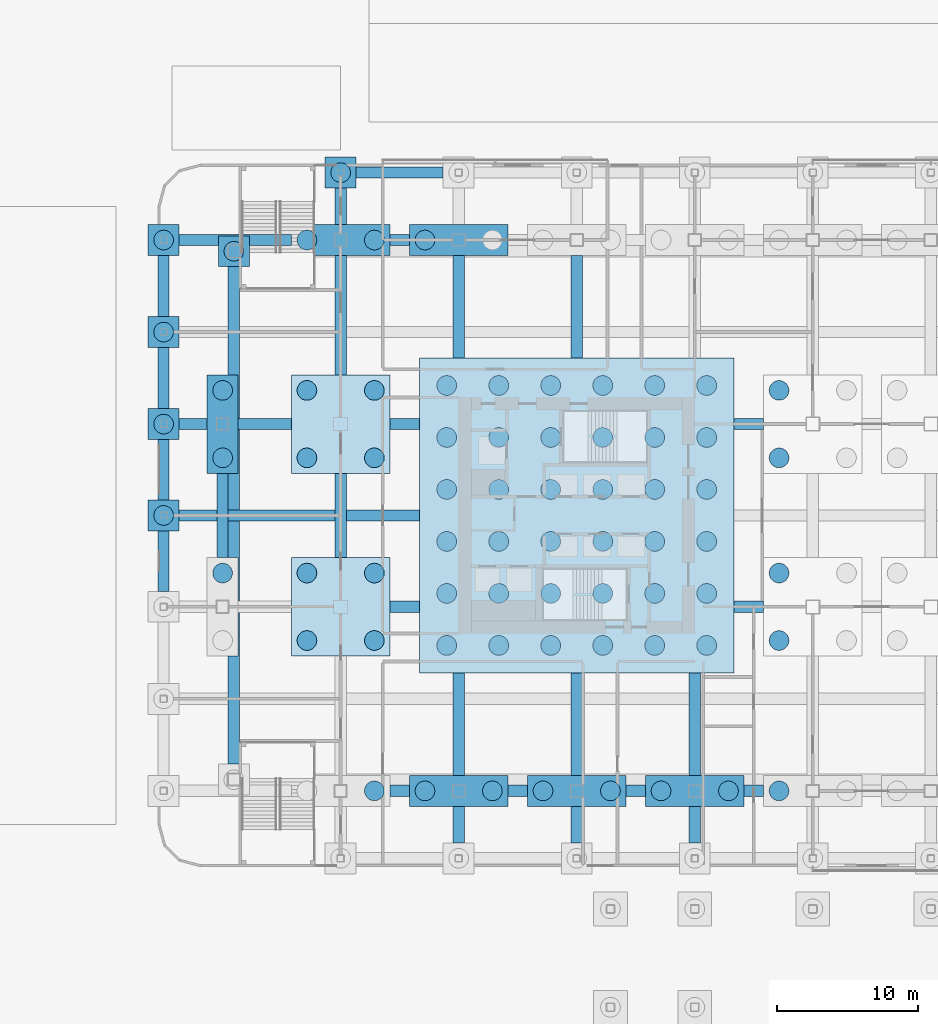
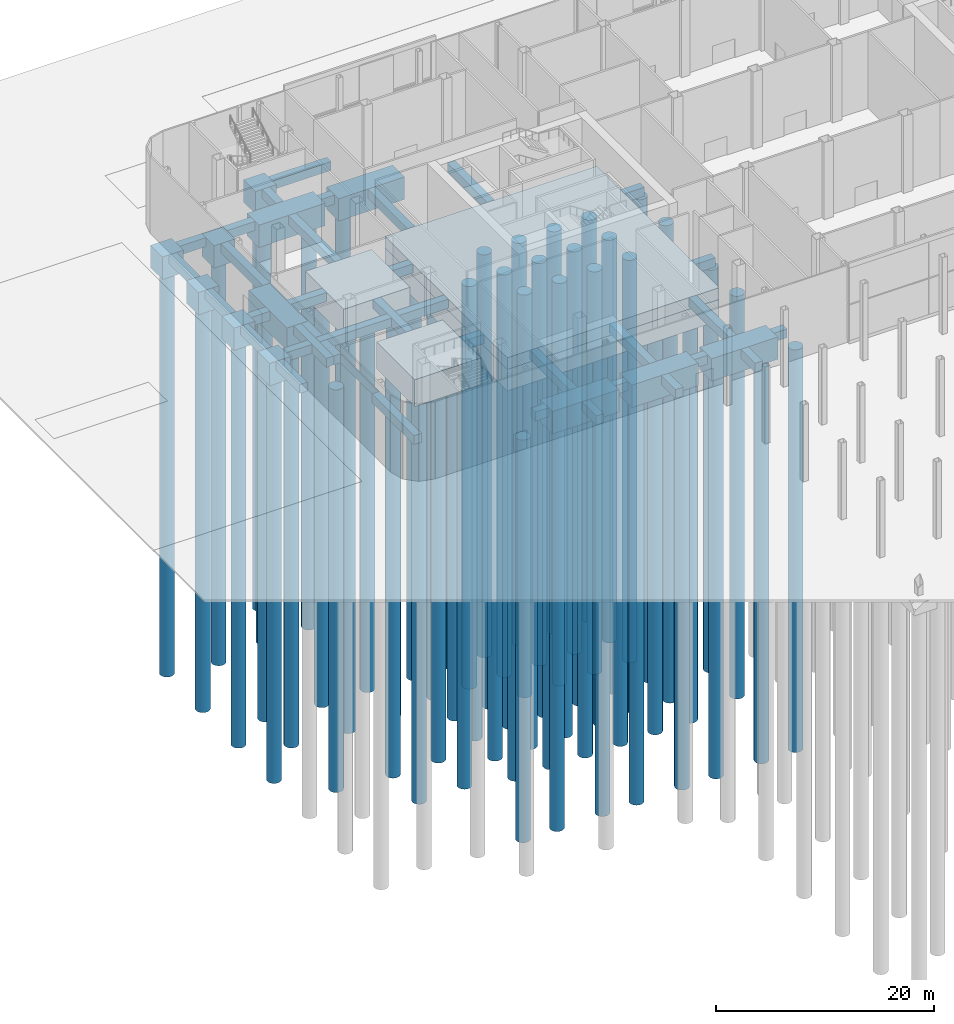
# One storey, part 3 of 113: 68 piles, 47 footings.
"""IFC4 building model written with IfcOpenShell, lengths in metres."""

from ifc_helpers import new_model, si_unit, direction, frame, origin, origin_2d, place, context, subcontext, project, spatial, polyline, circle, outline, extrude, material, layer, layer_set, material_profile, profile_set, type_object, element, save


model = new_model("IFC4")

# Units and contexts
model_context = context("Model", 3, precision=1e-05, world=origin(), true_north=direction((0.0, 1.0)))
body_context = subcontext(model_context, "Body", "Model", "MODEL_VIEW")
ifc_project = project(units=[si_unit("LENGTHUNIT", "METRE"), si_unit("AREAUNIT", "SQUARE_METRE"), si_unit("VOLUMEUNIT", "CUBIC_METRE"), si_unit("PLANEANGLEUNIT", "RADIAN"), si_unit("MASSUNIT", "GRAM", prefix="KILO")], contexts=[model_context])

# Site, building, storey
site_placement = place(None, origin())
site = spatial("IfcSite", under=ifc_project, at=site_placement, CompositionType="ELEMENT")
building_placement = place(site_placement, origin())
building = spatial("IfcBuilding", under=site, at=building_placement, Name="Hakoniwa Tower and Hamabe Station Hall", CompositionType="ELEMENT")
storey_placement = place(building_placement, origin())
storey = spatial("IfcBuildingStorey", under=building, at=storey_placement, Name="L01", CompositionType="ELEMENT", Elevation=0.0)

# Piles
ifc_material_1 = material(Name="Concrete C36", Category="concrete")
ifc_material_profile = material_profile(ifc_material_1, circle(Radius=0.699951171875, at=origin_2d()), Name="BORED PILE D1400")
ifc_profile_set = profile_set([ifc_material_profile], Name="Concrete C36")
pile_type = type_object("IfcPileType", Name="BORED PILE D1400", PredefinedType="BORED", material=ifc_profile_set)
for number, where, z_axis, x_axis, name in (
    (1, (-34.449951171875, -9.25, -4.0), (0.0, 0.0, -1.0), (1.0, 0.0, 0.0), "Raft pile W-11"),
    (2, (-34.449951171875, -5.550048828125, -4.0), (0.0, 0.0, -1.0), (1.0, 0.0, 0.0), "Raft pile W-12"),
    (3, (-34.449951171875, -1.85009765625, -4.0), (0.0, 0.0, -1.0), (1.0, 0.0, 0.0), "Raft pile W-13"),
    (4, (-34.449951171875, 1.85009765625, -4.0), (0.0, 0.0, -1.0), (1.0, 0.0, 0.0), "Raft pile W-14"),
    (5, (-34.449951171875, 5.550048828125, -4.0), (0.0, 0.0, -1.0), (1.0, 0.0, 0.0), "Raft pile W-15"),
    (6, (-34.449951171875, 9.25, -4.0), (0.0, 0.0, -1.0), (1.0, 0.0, 0.0), "Raft pile W-16"),
    (7, (-30.75, -9.25, -4.0), (0.0, 0.0, -1.0), (1.0, 0.0, 0.0), "Raft pile W-21"),
    (8, (-30.75, -5.550048828125, -4.0), (0.0, 0.0, -1.0), (1.0, 0.0, 0.0), "Raft pile W-22"),
    (9, (-30.75, -1.85009765625, -4.0), (0.0, 0.0, -1.0), (1.0, 0.0, 0.0), "Raft pile W-23"),
    (10, (-30.75, 1.85009765625, -4.0), (0.0, 0.0, -1.0), (1.0, 0.0, 0.0), "Raft pile W-24"),
    (11, (-30.75, 5.550048828125, -4.0), (0.0, 0.0, -1.0), (1.0, 0.0, 0.0), "Raft pile W-25"),
    (12, (-30.75, 9.25, -4.0), (0.0, 0.0, -1.0), (1.0, 0.0, 0.0), "Raft pile W-26"),
    (13, (-27.050048828125, -9.25, -4.0), (0.0, 0.0, -1.0), (1.0, 0.0, 0.0), "Raft pile W-31"),
    (14, (-27.050048828125, -5.550048828125, -4.0), (0.0, 0.0, -1.0), (1.0, 0.0, 0.0), "Raft pile W-32"),
    (15, (-27.050048828125, -1.85009765625, -4.0), (0.0, 0.0, -1.0), (1.0, 0.0, 0.0), "Raft pile W-33"),
    (16, (-27.050048828125, 1.85009765625, -4.0), (0.0, 0.0, -1.0), (1.0, 0.0, 0.0), "Raft pile W-34"),
    (17, (-27.050048828125, 5.550048828125, -4.0), (0.0, 0.0, -1.0), (1.0, 0.0, 0.0), "Raft pile W-35"),
    (18, (-27.050048828125, 9.25, -4.0), (0.0, 0.0, -1.0), (1.0, 0.0, 0.0), "Raft pile W-36"),
    (19, (-23.35009765625, -9.25, -4.0), (0.0, 0.0, -1.0), (1.0, 0.0, 0.0), "Raft pile W-41"),
    (20, (-23.35009765625, -5.550048828125, -4.0), (0.0, 0.0, -1.0), (1.0, 0.0, 0.0), "Raft pile W-42"),
    (21, (-23.35009765625, -1.85009765625, -4.0), (0.0, 0.0, -1.0), (1.0, 0.0, 0.0), "Raft pile W-43"),
    (22, (-23.35009765625, 1.85009765625, -4.0), (0.0, 0.0, -1.0), (1.0, 0.0, 0.0), "Raft pile W-44"),
    (23, (-23.35009765625, 5.550048828125, -4.0), (0.0, 0.0, -1.0), (1.0, 0.0, 0.0), "Raft pile W-45"),
    (24, (-23.35009765625, 9.25, -4.0), (0.0, 0.0, -1.0), (1.0, 0.0, 0.0), "Raft pile W-46"),
    (25, (-19.64990234375, -9.25, -4.0), (0.0, 0.0, -1.0), (1.0, 0.0, 0.0), "Raft pile W-51"),
    (26, (-19.64990234375, -5.550048828125, -4.0), (0.0, 0.0, -1.0), (1.0, 0.0, 0.0), "Raft pile W-52"),
    (27, (-19.64990234375, -1.85009765625, -4.0), (0.0, 0.0, -1.0), (1.0, 0.0, 0.0), "Raft pile W-53"),
    (28, (-19.64990234375, 1.85009765625, -4.0), (0.0, 0.0, -1.0), (1.0, 0.0, 0.0), "Raft pile W-54"),
    (29, (-19.64990234375, 5.550048828125, -4.0), (0.0, 0.0, -1.0), (1.0, 0.0, 0.0), "Raft pile W-55"),
    (30, (-19.64990234375, 9.25, -4.0), (0.0, 0.0, -1.0), (1.0, 0.0, 0.0), "Raft pile W-56"),
    (31, (-15.949951171875, -9.25, -4.0), (0.0, 0.0, -1.0), (1.0, 0.0, 0.0), "Raft pile W-61"),
    (32, (-15.949951171875, -5.550048828125, -4.0), (0.0, 0.0, -1.0), (1.0, 0.0, 0.0), "Raft pile W-62"),
    (33, (-15.949951171875, -1.85009765625, -4.0), (0.0, 0.0, -1.0), (1.0, 0.0, 0.0), "Raft pile W-63"),
    (34, (-15.949951171875, 1.85009765625, -4.0), (0.0, 0.0, -1.0), (1.0, 0.0, 0.0), "Raft pile W-64"),
    (35, (-15.949951171875, 5.550048828125, -4.0), (0.0, 0.0, -1.0), (1.0, 0.0, 0.0), "Raft pile W-65"),
    (36, (-15.949951171875, 9.25, -4.0), (0.0, 0.0, -1.0), (1.0, 0.0, 0.0), "Raft pile W-66"),
    (37, (-50.39990234375, -4.10009765625, -2.800048828125), (0.0, 0.0, -1.0), (1.0, 0.0, 0.0), "Pile P-1-C1 1-2"),
    (38, (-50.39990234375, 4.10009765625, -2.800048828125), (0.0, 0.0, -1.0), (1.0, 0.0, 0.0), "Pile P-1-E1 1-1"),
    (39, (-50.39990234375, 8.89990234375, -2.800048828125), (0.0, 0.0, -1.0), (1.0, 0.0, 0.0), "Pile P-1-E1 1-2"),
    (40, (-49.60302734375, 18.802978515625, -2.800048828125), (0.0, 0.0, -1.0), (1.0, 0.0, 0.0), "Pile P-1-G1 1"),
    (41, (-39.60009765625, -19.60009765625, -2.800048828125), (0.0, 0.0, -1.0), (1.0, 0.0, 0.0), "Pile P-2-A1 2"),
    (42, (-44.39990234375, -8.89990234375, -3.300048828125), (0.0, 0.0, -1.0), (1.0, 0.0, 0.0), "Pile P-2-C1 1-1"),
    (43, (-44.39990234375, -4.10009765625, -3.300048828125), (0.0, 0.0, -1.0), (1.0, 0.0, 0.0), "Pile P-2-C1 1-2"),
    (44, (-39.60009765625, -8.89990234375, -3.300048828125), (0.0, 0.0, -1.0), (1.0, 0.0, 0.0), "Pile P-2-C1 2-1"),
    (45, (-39.60009765625, -4.10009765625, -3.300048828125), (0.0, 0.0, -1.0), (1.0, 0.0, 0.0), "Pile P-2-C1 2-2"),
    (46, (-44.39990234375, 4.10009765625, -3.300048828125), (0.0, 0.0, -1.0), (1.0, 0.0, 0.0), "Pile P-2-E1 1-1"),
    (47, (-44.39990234375, 8.89990234375, -3.300048828125), (0.0, 0.0, -1.0), (1.0, 0.0, 0.0), "Pile P-2-E1 1-2"),
    (48, (-39.60009765625, 4.10009765625, -3.300048828125), (0.0, 0.0, -1.0), (1.0, 0.0, 0.0), "Pile P-2-E1 2-1"),
    (49, (-39.60009765625, 8.89990234375, -3.300048828125), (0.0, 0.0, -1.0), (1.0, 0.0, 0.0), "Pile P-2-E1 2-2"),
    (50, (-44.39990234375, 19.60009765625, -2.800048828125), (0.0, 0.0, -1.0), (1.0, 0.0, 0.0), "Pile P-2-G1 1"),
    (51, (-39.60009765625, 19.60009765625, -2.800048828125), (0.0, 0.0, -1.0), (1.0, 0.0, 0.0), "Pile P-2-G1 2"),
    (52, (-36.0, -19.60009765625, -2.800048828125), (0.0, 0.0, -1.0), (1.0, 0.0, 0.0), "Pile P-3-A1 1"),
    (53, (-31.199951171875, -19.60009765625, -2.800048828125), (0.0, 0.0, -1.0), (1.0, 0.0, 0.0), "Pile P-3-A1 2"),
    (54, (-36.0, 19.60009765625, -2.800048828125), (0.0, 0.0, -1.0), (1.0, 0.0, 0.0), "Pile P-3-G1 1"),
    (55, (-27.60009765625, -19.60009765625, -2.800048828125), (0.0, 0.0, -1.0), (1.0, 0.0, 0.0), "Pile P-4-A1 1"),
    (56, (-22.800048828125, -19.60009765625, -2.800048828125), (0.0, 0.0, -1.0), (1.0, 0.0, 0.0), "Pile P-4-A1 2"),
    (57, (-19.199951171875, -19.60009765625, -2.800048828125), (0.0, 0.0, -1.0), (1.0, 0.0, 0.0), "Pile P-5-A1 1"),
    (58, (-14.39990234375, -19.60009765625, -2.800048828125), (0.0, 0.0, -1.0), (1.0, 0.0, 0.0), "Pile P-5-A1 2"),
    (59, (-10.800048828125, -19.60009765625, -2.800048828125), (0.0, 0.0, -1.0), (1.0, 0.0, 0.0), "Pile P-6-A1 1"),
    (60, (-10.800048828125, -8.89990234375, -3.300048828125), (0.0, 0.0, -1.0), (1.0, 0.0, 0.0), "Pile P-6-C1 1-1"),
    (61, (-10.800048828125, -4.10009765625, -3.300048828125), (0.0, 0.0, -1.0), (1.0, 0.0, 0.0), "Pile P-6-C1 1-2"),
    (62, (-10.800048828125, 4.10009765625, -3.300048828125), (0.0, 0.0, -1.0), (1.0, 0.0, 0.0), "Pile P-6-E1 1-1"),
    (63, (-10.800048828125, 8.89990234375, -3.300048828125), (0.0, 0.0, -1.0), (1.0, 0.0, 0.0), "Pile P-6-E1 1-2"),
    (64, (-42.0, 24.39990234375, -2.800048828125), (0.0, 0.0, -1.0), (1.0, 0.0, 0.0), "Pile P-2-RN 1"),
    (65, (-54.60009765625, 0.0, -2.800048828125), (0.0, 0.0, -1.0), (1.0, 0.0, 0.0), "Pile P-RW-D1 1"),
    (66, (-54.60009765625, 6.5, -2.800048828125), (0.0, 0.0, -1.0), (1.0, 0.0, 0.0), "Pile P-RW-E1 1"),
    (67, (-54.60009765625, 13.050048828125, -2.800048828125), (0.0, 0.0, -1.0), (1.0, 0.0, 0.0), "Pile P-RW-F1 1"),
    (68, (-54.60009765625, 19.60009765625, -2.800048828125), (0.0, 0.0, -1.0), (1.0, 0.0, 0.0), "Pile P-RW-G1 1"),
):
    element("IfcPile", number, at=place(storey_placement, frame(where, z_axis=z_axis, x_axis=x_axis)), inside=storey, type_object=pile_type, Name=name, PredefinedType="BORED", context=body_context, shape_type="SweptSolid", body=[
        extrude(circle(Radius=0.699951171875, at=origin_2d()), origin(), (0.0, 0.0, 1.0), 45.0),
    ])

# Footings
ifc_material_2 = material(Name="Concrete C36", Category="concrete")
ifc_layer_1 = layer(ifc_material_2, 2.39990234375)
ifc_layer_set_1 = layer_set([ifc_layer_1], Name="CORE RAFT BASE")
footing_type_1 = type_object("IfcFootingType", Name="CORE RAFT BASE", PredefinedType="PILE_CAP", material=ifc_layer_set_1)
footing_1_placement = place(storey_placement, frame((0.0, 0.0, -4.0)))
element("IfcFooting", 69, at=footing_1_placement, inside=storey, type_object=footing_type_1, Name="Core raft W base", PredefinedType="PILE_CAP", context=body_context, shape_type="SweptSolid", body=[
    extrude(outline(polyline([(-14.0, -11.199951171875), (-14.0, 11.199951171875), (-36.39990234375, 11.199951171875), (-36.39990234375, -11.199951171875), (-14.0, -11.199951171875)])), origin(), (0.0, 0.0, 1.0), 2.39990234375),
])
ifc_material_3 = material(Name="Concrete C36", Category="concrete")
ifc_layer_2 = layer(ifc_material_3, 1.300048828125)
ifc_layer_set_2 = layer_set([ifc_layer_2], Name="CORE RAFT UPPER")
footing_type_2 = type_object("IfcFootingType", Name="CORE RAFT UPPER", PredefinedType="PILE_CAP", material=ifc_layer_set_2)
footing_2_placement = place(storey_placement, frame((0.0, 0.0, -1.60009765625)))
element("IfcFooting", 70, at=footing_2_placement, inside=storey, type_object=footing_type_2, Name="Core raft W upper", PredefinedType="PILE_CAP", context=body_context, shape_type="SweptSolid", body=[
    extrude(outline(polyline([(-14.0, -11.199951171875), (-14.0, 11.199951171875), (-36.39990234375, 11.199951171875), (-36.39990234375, -11.199951171875), (-14.0, -11.199951171875)])), origin(), (0.0, 0.0, 1.0), 1.300048828125),
])
ifc_material_4 = material(Name="Concrete C36", Category="concrete")
ifc_layer_3 = layer(ifc_material_4, 1.0)
ifc_layer_set_3 = layer_set([ifc_layer_3], Name="GROUND TIE BEAM")
footing_type_3 = type_object("IfcFootingType", Name="GROUND TIE BEAM", PredefinedType="FOOTING_BEAM", material=ifc_layer_set_3)
footing_3_placement = place(storey_placement, frame((0.0, 0.0, -1.300048828125)))
element("IfcFooting", 71, at=footing_3_placement, inside=storey, type_object=footing_type_3, Name="Ground tie P-2-A1 to P-3-A1", PredefinedType="FOOTING_BEAM", context=body_context, shape_type="SweptSolid", body=[
    extrude(outline(polyline([(-38.5, -19.199951171875), (-38.5, -20.0), (-37.10009765625, -20.0), (-37.10009765625, -19.199951171875), (-38.5, -19.199951171875)])), origin(), (0.0, 0.0, 1.0), 1.0),
])
footing_4_placement = place(storey_placement, frame((0.0, 0.0, -1.300048828125)))
element("IfcFooting", 72, at=footing_4_placement, inside=storey, type_object=footing_type_3, Name="Ground tie P-3-A1 to P-4-A1", PredefinedType="FOOTING_BEAM", context=body_context, shape_type="SweptSolid", body=[
    extrude(outline(polyline([(-30.10009765625, -19.199951171875), (-30.10009765625, -20.0), (-28.699951171875, -20.0), (-28.699951171875, -19.199951171875), (-30.10009765625, -19.199951171875)])), origin(), (0.0, 0.0, 1.0), 1.0),
])
footing_5_placement = place(storey_placement, frame((0.0, 0.0, -1.300048828125)))
element("IfcFooting", 73, at=footing_5_placement, inside=storey, type_object=footing_type_3, Name="Ground tie P-4-A1 to P-5-A1", PredefinedType="FOOTING_BEAM", context=body_context, shape_type="SweptSolid", body=[
    extrude(outline(polyline([(-21.699951171875, -19.199951171875), (-21.699951171875, -20.0), (-20.300048828125, -20.0), (-20.300048828125, -19.199951171875), (-21.699951171875, -19.199951171875)])), origin(), (0.0, 0.0, 1.0), 1.0),
])
footing_6_placement = place(storey_placement, frame((0.0, 0.0, -1.300048828125)))
element("IfcFooting", 74, at=footing_6_placement, inside=storey, type_object=footing_type_3, Name="Ground tie P-5-A1 to P-6-A1", PredefinedType="FOOTING_BEAM", context=body_context, shape_type="SweptSolid", body=[
    extrude(outline(polyline([(-13.300048828125, -19.199951171875), (-13.300048828125, -20.0), (-11.89990234375, -20.0), (-11.89990234375, -19.199951171875), (-13.300048828125, -19.199951171875)])), origin(), (0.0, 0.0, 1.0), 1.0),
])
footing_7_placement = place(storey_placement, frame((0.0, 0.0, -1.300048828125)))
element("IfcFooting", 75, at=footing_7_placement, inside=storey, type_object=footing_type_3, Name="Ground tie P-2-C1 to P-6-C1", PredefinedType="FOOTING_BEAM", context=body_context, shape_type="SweptSolid", body=[
    extrude(outline(polyline([(-11.89990234375, -6.89990234375), (-11.89990234375, -6.10009765625), (-14.0, -6.10009765625), (-14.0, -6.89990234375), (-11.89990234375, -6.89990234375)])), origin(), (0.0, 0.0, 1.0), 1.0),
])
footing_8_placement = place(storey_placement, frame((0.0, 0.0, -1.300048828125)))
element("IfcFooting", 76, at=footing_8_placement, inside=storey, type_object=footing_type_3, Name="Ground tie P-2-C1 to P-6-C1 2", PredefinedType="FOOTING_BEAM", context=body_context, shape_type="SweptSolid", body=[
    extrude(outline(polyline([(-38.5, -6.10009765625), (-38.5, -6.89990234375), (-36.39990234375, -6.89990234375), (-36.39990234375, -6.10009765625), (-38.5, -6.10009765625)])), origin(), (0.0, 0.0, 1.0), 1.0),
])
footing_9_placement = place(storey_placement, frame((0.0, 0.0, -1.300048828125)))
element("IfcFooting", 77, at=footing_9_placement, inside=storey, type_object=footing_type_3, Name="Ground tie P-RW-D1 to P-RE-D1 3", PredefinedType="FOOTING_BEAM", context=body_context, shape_type="SweptSolid", body=[
    extrude(outline(polyline([(-53.5, 0.39990234375), (-53.5, -0.39990234375), (-36.39990234375, -0.39990234375), (-36.39990234375, 0.39990234375), (-53.5, 0.39990234375)])), origin(), (0.0, 0.0, 1.0), 1.0),
])
footing_10_placement = place(storey_placement, frame((0.0, 0.0, -1.300048828125)))
element("IfcFooting", 78, at=footing_10_placement, inside=storey, type_object=footing_type_3, Name="Ground tie P-RW-E1 to P-1-E1", PredefinedType="FOOTING_BEAM", context=body_context, shape_type="SweptSolid", body=[
    extrude(outline(polyline([(-53.5, 6.89990234375), (-53.5, 6.10009765625), (-51.5, 6.10009765625), (-51.5, 6.89990234375), (-53.5, 6.89990234375)])), origin(), (0.0, 0.0, 1.0), 1.0),
])
footing_11_placement = place(storey_placement, frame((0.0, 0.0, -1.300048828125)))
element("IfcFooting", 79, at=footing_11_placement, inside=storey, type_object=footing_type_3, Name="Ground tie P-1-E1 to P-2-E1", PredefinedType="FOOTING_BEAM", context=body_context, shape_type="SweptSolid", body=[
    extrude(outline(polyline([(-49.300048828125, 6.89990234375), (-49.300048828125, 6.10009765625), (-45.5, 6.10009765625), (-45.5, 6.89990234375), (-49.300048828125, 6.89990234375)])), origin(), (0.0, 0.0, 1.0), 1.0),
])
footing_12_placement = place(storey_placement, frame((0.0, 0.0, -1.300048828125)))
element("IfcFooting", 80, at=footing_12_placement, inside=storey, type_object=footing_type_3, Name="Ground tie P-2-E1 to P-6-E1", PredefinedType="FOOTING_BEAM", context=body_context, shape_type="SweptSolid", body=[
    extrude(outline(polyline([(-11.89990234375, 6.10009765625), (-11.89990234375, 6.89990234375), (-14.0, 6.89990234375), (-14.0, 6.10009765625), (-11.89990234375, 6.10009765625)])), origin(), (0.0, 0.0, 1.0), 1.0),
])
footing_13_placement = place(storey_placement, frame((0.0, 0.0, -1.300048828125)))
element("IfcFooting", 81, at=footing_13_placement, inside=storey, type_object=footing_type_3, Name="Ground tie P-2-E1 to P-6-E1 2", PredefinedType="FOOTING_BEAM", context=body_context, shape_type="SweptSolid", body=[
    extrude(outline(polyline([(-38.5, 6.89990234375), (-38.5, 6.10009765625), (-36.39990234375, 6.10009765625), (-36.39990234375, 6.89990234375), (-38.5, 6.89990234375)])), origin(), (0.0, 0.0, 1.0), 1.0),
])
footing_14_placement = place(storey_placement, frame((0.0, 0.0, -1.300048828125)))
element("IfcFooting", 82, at=footing_14_placement, inside=storey, type_object=footing_type_3, Name="Ground tie P-RW-G1 to P-2-G1", PredefinedType="FOOTING_BEAM", context=body_context, shape_type="SweptSolid", body=[
    extrude(outline(polyline([(-53.5, 20.0), (-53.5, 19.199951171875), (-50.703125, 19.199951171875), (-50.703125, 19.903076171875), (-48.503173828125, 19.903076171875), (-48.503173828125, 19.199951171875), (-45.5, 19.199951171875), (-45.5, 20.0), (-53.5, 20.0)])), origin(), (0.0, 0.0, 1.0), 1.0),
])
footing_15_placement = place(storey_placement, frame((0.0, 0.0, -1.300048828125)))
element("IfcFooting", 83, at=footing_15_placement, inside=storey, type_object=footing_type_3, Name="Ground tie P-2-G1 to P-3-G1", PredefinedType="FOOTING_BEAM", context=body_context, shape_type="SweptSolid", body=[
    extrude(outline(polyline([(-38.5, 20.0), (-38.5, 19.199951171875), (-37.10009765625, 19.199951171875), (-37.10009765625, 20.0), (-38.5, 20.0)])), origin(), (0.0, 0.0, 1.0), 1.0),
])
footing_16_placement = place(storey_placement, frame((0.0, 0.0, -1.300048828125)))
element("IfcFooting", 84, at=footing_16_placement, inside=storey, type_object=footing_type_3, Name="Ground tie P-2-RN to P-3-RN", PredefinedType="FOOTING_BEAM", context=body_context, shape_type="SweptSolid", body=[
    extrude(outline(polyline([(-40.89990234375, 24.800048828125), (-40.89990234375, 24.0), (-34.699951171875, 24.0), (-34.699951171875, 24.800048828125), (-40.89990234375, 24.800048828125)])), origin(), (0.0, 0.0, 1.0), 1.0),
])
footing_17_placement = place(storey_placement, frame((0.0, 0.0, -1.300048828125)))
element("IfcFooting", 85, at=footing_17_placement, inside=storey, type_object=footing_type_3, Name="Ground tie P-RW-C1 to P-RW-D1 1", PredefinedType="FOOTING_BEAM", context=body_context, shape_type="SweptSolid", body=[
    extrude(outline(polyline([(-55.0, -1.10009765625), (-55.0, -5.39990234375), (-54.199951171875, -5.39990234375), (-54.199951171875, -1.10009765625), (-55.0, -1.10009765625)])), origin(), (0.0, 0.0, 1.0), 1.0),
])
footing_18_placement = place(storey_placement, frame((0.0, 0.0, -1.300048828125)))
element("IfcFooting", 86, at=footing_18_placement, inside=storey, type_object=footing_type_3, Name="Ground tie P-RW-D1 to P-RW-E1 1", PredefinedType="FOOTING_BEAM", context=body_context, shape_type="SweptSolid", body=[
    extrude(outline(polyline([(-55.0, 5.39990234375), (-55.0, 1.10009765625), (-54.199951171875, 1.10009765625), (-54.199951171875, 5.39990234375), (-55.0, 5.39990234375)])), origin(), (0.0, 0.0, 1.0), 1.0),
])
footing_19_placement = place(storey_placement, frame((0.0, 0.0, -1.300048828125)))
element("IfcFooting", 87, at=footing_19_placement, inside=storey, type_object=footing_type_3, Name="Ground tie P-RW-E1 to P-RW-F1 1", PredefinedType="FOOTING_BEAM", context=body_context, shape_type="SweptSolid", body=[
    extrude(outline(polyline([(-55.0, 11.949951171875), (-55.0, 7.60009765625), (-54.199951171875, 7.60009765625), (-54.199951171875, 11.949951171875), (-55.0, 11.949951171875)])), origin(), (0.0, 0.0, 1.0), 1.0),
])
footing_20_placement = place(storey_placement, frame((0.0, 0.0, -1.300048828125)))
element("IfcFooting", 88, at=footing_20_placement, inside=storey, type_object=footing_type_3, Name="Ground tie P-RW-F1 to P-RW-G1 1", PredefinedType="FOOTING_BEAM", context=body_context, shape_type="SweptSolid", body=[
    extrude(outline(polyline([(-55.0, 18.5), (-55.0, 14.14990234375), (-54.199951171875, 14.14990234375), (-54.199951171875, 18.5), (-55.0, 18.5)])), origin(), (0.0, 0.0, 1.0), 1.0),
])
footing_21_placement = place(storey_placement, frame((0.0, 0.0, -1.300048828125)))
element("IfcFooting", 89, at=footing_21_placement, inside=storey, type_object=footing_type_3, Name="Ground tie P-1-C1 to P-1-E1 1", PredefinedType="FOOTING_BEAM", context=body_context, shape_type="SweptSolid", body=[
    extrude(outline(polyline([(-50.800048828125, 3.0), (-50.800048828125, -3.0), (-50.0, -3.0), (-50.0, 3.0), (-50.800048828125, 3.0)])), origin(), (0.0, 0.0, 1.0), 1.0),
])
footing_22_placement = place(storey_placement, frame((0.0, 0.0, -1.300048828125)))
element("IfcFooting", 90, at=footing_22_placement, inside=storey, type_object=footing_type_3, Name="Ground tie P-1-A1 to P-1-G1 1", PredefinedType="FOOTING_BEAM", context=body_context, shape_type="SweptSolid", body=[
    extrude(outline(polyline([(-50.003173828125, -10.0), (-50.003173828125, -17.703125), (-49.203125, -17.703125), (-49.203125, 17.703125), (-50.003173828125, 17.703125), (-50.003173828125, 10.0), (-49.300048828125, 10.0), (-49.300048828125, 3.0), (-50.003173828125, 3.0), (-50.003173828125, -3.0), (-49.300048828125, -3.0), (-49.300048828125, -10.0), (-50.003173828125, -10.0)])), origin(), (0.0, 0.0, 1.0), 1.0),
])
footing_23_placement = place(storey_placement, frame((0.0, 0.0, -1.300048828125)))
element("IfcFooting", 91, at=footing_23_placement, inside=storey, type_object=footing_type_3, Name="Ground tie P-2-C1 to P-2-E1 1", PredefinedType="FOOTING_BEAM", context=body_context, shape_type="SweptSolid", body=[
    extrude(outline(polyline([(-42.39990234375, 3.0), (-42.39990234375, -3.0), (-41.60009765625, -3.0), (-41.60009765625, 3.0), (-42.39990234375, 3.0)])), origin(), (0.0, 0.0, 1.0), 1.0),
])
footing_24_placement = place(storey_placement, frame((0.0, 0.0, -1.300048828125)))
element("IfcFooting", 92, at=footing_24_placement, inside=storey, type_object=footing_type_3, Name="Ground tie P-2-E1 to P-2-G1 1", PredefinedType="FOOTING_BEAM", context=body_context, shape_type="SweptSolid", body=[
    extrude(outline(polyline([(-42.39990234375, 18.5), (-42.39990234375, 10.0), (-41.60009765625, 10.0), (-41.60009765625, 18.5), (-42.39990234375, 18.5)])), origin(), (0.0, 0.0, 1.0), 1.0),
])
footing_25_placement = place(storey_placement, frame((0.0, 0.0, -1.300048828125)))
element("IfcFooting", 93, at=footing_25_placement, inside=storey, type_object=footing_type_3, Name="Ground tie P-2-G1 to P-2-RN 1", PredefinedType="FOOTING_BEAM", context=body_context, shape_type="SweptSolid", body=[
    extrude(outline(polyline([(-42.39990234375, 23.300048828125), (-42.39990234375, 20.699951171875), (-41.60009765625, 20.699951171875), (-41.60009765625, 23.300048828125), (-42.39990234375, 23.300048828125)])), origin(), (0.0, 0.0, 1.0), 1.0),
])
footing_26_placement = place(storey_placement, frame((0.0, 0.0, -1.300048828125)))
element("IfcFooting", 94, at=footing_26_placement, inside=storey, type_object=footing_type_3, Name="Ground tie P-3-RS to P-3-A1 1", PredefinedType="FOOTING_BEAM", context=body_context, shape_type="SweptSolid", body=[
    extrude(outline(polyline([(-34.0, -20.699951171875), (-34.0, -23.300048828125), (-33.199951171875, -23.300048828125), (-33.199951171875, -20.699951171875), (-34.0, -20.699951171875)])), origin(), (0.0, 0.0, 1.0), 1.0),
])
footing_27_placement = place(storey_placement, frame((0.0, 0.0, -1.300048828125)))
element("IfcFooting", 95, at=footing_27_placement, inside=storey, type_object=footing_type_3, Name="Ground tie P-3-A1 to P-3-G1 1", PredefinedType="FOOTING_BEAM", context=body_context, shape_type="SweptSolid", body=[
    extrude(outline(polyline([(-34.0, -18.5), (-33.199951171875, -18.5), (-33.199951171875, -11.199951171875), (-34.0, -11.199951171875), (-34.0, -18.5)])), origin(), (0.0, 0.0, 1.0), 1.0),
])
footing_28_placement = place(storey_placement, frame((0.0, 0.0, -1.300048828125)))
element("IfcFooting", 96, at=footing_28_placement, inside=storey, type_object=footing_type_3, Name="Ground tie P-3-A1 to P-3-G1 2", PredefinedType="FOOTING_BEAM", context=body_context, shape_type="SweptSolid", body=[
    extrude(outline(polyline([(-33.199951171875, 18.5), (-34.0, 18.5), (-34.0, 11.199951171875), (-33.199951171875, 11.199951171875), (-33.199951171875, 18.5)])), origin(), (0.0, 0.0, 1.0), 1.0),
])
footing_29_placement = place(storey_placement, frame((0.0, 0.0, -1.300048828125)))
element("IfcFooting", 97, at=footing_29_placement, inside=storey, type_object=footing_type_3, Name="Ground tie P-4-RS to P-4-A1 1", PredefinedType="FOOTING_BEAM", context=body_context, shape_type="SweptSolid", body=[
    extrude(outline(polyline([(-25.60009765625, -20.699951171875), (-25.60009765625, -23.300048828125), (-24.800048828125, -23.300048828125), (-24.800048828125, -20.699951171875), (-25.60009765625, -20.699951171875)])), origin(), (0.0, 0.0, 1.0), 1.0),
])
footing_30_placement = place(storey_placement, frame((0.0, 0.0, -1.300048828125)))
element("IfcFooting", 98, at=footing_30_placement, inside=storey, type_object=footing_type_3, Name="Ground tie P-4-A1 to P-4-G1 1", PredefinedType="FOOTING_BEAM", context=body_context, shape_type="SweptSolid", body=[
    extrude(outline(polyline([(-25.60009765625, -18.5), (-24.800048828125, -18.5), (-24.800048828125, -11.199951171875), (-25.60009765625, -11.199951171875), (-25.60009765625, -18.5)])), origin(), (0.0, 0.0, 1.0), 1.0),
])
footing_31_placement = place(storey_placement, frame((0.0, 0.0, -1.300048828125)))
element("IfcFooting", 99, at=footing_31_placement, inside=storey, type_object=footing_type_3, Name="Ground tie P-4-A1 to P-4-G1 2", PredefinedType="FOOTING_BEAM", context=body_context, shape_type="SweptSolid", body=[
    extrude(outline(polyline([(-24.800048828125, 18.5), (-25.60009765625, 18.5), (-25.60009765625, 11.199951171875), (-24.800048828125, 11.199951171875), (-24.800048828125, 18.5)])), origin(), (0.0, 0.0, 1.0), 1.0),
])
footing_32_placement = place(storey_placement, frame((0.0, 0.0, -1.300048828125)))
element("IfcFooting", 100, at=footing_32_placement, inside=storey, type_object=footing_type_3, Name="Ground tie P-5-RS to P-5-A1 1", PredefinedType="FOOTING_BEAM", context=body_context, shape_type="SweptSolid", body=[
    extrude(outline(polyline([(-17.199951171875, -20.699951171875), (-17.199951171875, -23.300048828125), (-16.39990234375, -23.300048828125), (-16.39990234375, -20.699951171875), (-17.199951171875, -20.699951171875)])), origin(), (0.0, 0.0, 1.0), 1.0),
])
footing_33_placement = place(storey_placement, frame((0.0, 0.0, -1.300048828125)))
element("IfcFooting", 101, at=footing_33_placement, inside=storey, type_object=footing_type_3, Name="Ground tie P-5-A1 to P-5-G1 1", PredefinedType="FOOTING_BEAM", context=body_context, shape_type="SweptSolid", body=[
    extrude(outline(polyline([(-17.199951171875, -18.5), (-16.39990234375, -18.5), (-16.39990234375, -11.199951171875), (-17.199951171875, -11.199951171875), (-17.199951171875, -18.5)])), origin(), (0.0, 0.0, 1.0), 1.0),
])
ifc_material_5 = material(Name="Concrete C36", Category="concrete")
ifc_layer_4 = layer(ifc_material_5, 2.5)
ifc_layer_set_4 = layer_set([ifc_layer_4], Name="PILE CAP 1 PILE")
footing_type_4 = type_object("IfcFootingType", Name="PILE CAP 1 PILE", PredefinedType="PILE_CAP", material=ifc_layer_set_4)
footing_34_placement = place(storey_placement, frame((0.0, 0.0, -2.800048828125)))
element("IfcFooting", 102, at=footing_34_placement, inside=storey, type_object=footing_type_4, Name="Pile cap P-1-G1", PredefinedType="PILE_CAP", context=body_context, shape_type="SweptSolid", body=[
    extrude(outline(polyline([(-48.503173828125, 17.703125), (-48.503173828125, 19.903076171875), (-50.703125, 19.903076171875), (-50.703125, 17.703125), (-48.503173828125, 17.703125)])), origin(), (0.0, 0.0, 1.0), 2.5),
])
footing_35_placement = place(storey_placement, frame((0.0, 0.0, -2.800048828125)))
element("IfcFooting", 103, at=footing_35_placement, inside=storey, type_object=footing_type_4, Name="Pile cap P-2-RN", PredefinedType="PILE_CAP", context=body_context, shape_type="SweptSolid", body=[
    extrude(outline(polyline([(-40.89990234375, 23.300048828125), (-40.89990234375, 25.5), (-43.10009765625, 25.5), (-43.10009765625, 23.300048828125), (-40.89990234375, 23.300048828125)])), origin(), (0.0, 0.0, 1.0), 2.5),
])
footing_36_placement = place(storey_placement, frame((0.0, 0.0, -2.800048828125)))
element("IfcFooting", 104, at=footing_36_placement, inside=storey, type_object=footing_type_4, Name="Pile cap P-RW-D1", PredefinedType="PILE_CAP", context=body_context, shape_type="SweptSolid", body=[
    extrude(outline(polyline([(-53.5, -1.10009765625), (-53.5, 1.10009765625), (-55.699951171875, 1.10009765625), (-55.699951171875, -1.10009765625), (-53.5, -1.10009765625)])), origin(), (0.0, 0.0, 1.0), 2.5),
])
footing_37_placement = place(storey_placement, frame((0.0, 0.0, -2.800048828125)))
element("IfcFooting", 105, at=footing_37_placement, inside=storey, type_object=footing_type_4, Name="Pile cap P-RW-E1", PredefinedType="PILE_CAP", context=body_context, shape_type="SweptSolid", body=[
    extrude(outline(polyline([(-53.5, 5.39990234375), (-53.5, 7.60009765625), (-55.699951171875, 7.60009765625), (-55.699951171875, 5.39990234375), (-53.5, 5.39990234375)])), origin(), (0.0, 0.0, 1.0), 2.5),
])
footing_38_placement = place(storey_placement, frame((0.0, 0.0, -2.800048828125)))
element("IfcFooting", 106, at=footing_38_placement, inside=storey, type_object=footing_type_4, Name="Pile cap P-RW-F1", PredefinedType="PILE_CAP", context=body_context, shape_type="SweptSolid", body=[
    extrude(outline(polyline([(-53.5, 11.949951171875), (-53.5, 14.14990234375), (-55.699951171875, 14.14990234375), (-55.699951171875, 11.949951171875), (-53.5, 11.949951171875)])), origin(), (0.0, 0.0, 1.0), 2.5),
])
footing_39_placement = place(storey_placement, frame((0.0, 0.0, -2.800048828125)))
element("IfcFooting", 107, at=footing_39_placement, inside=storey, type_object=footing_type_4, Name="Pile cap P-RW-G1", PredefinedType="PILE_CAP", context=body_context, shape_type="SweptSolid", body=[
    extrude(outline(polyline([(-53.5, 18.5), (-53.5, 20.699951171875), (-55.699951171875, 20.699951171875), (-55.699951171875, 18.5), (-53.5, 18.5)])), origin(), (0.0, 0.0, 1.0), 2.5),
])
ifc_material_6 = material(Name="Concrete C36", Category="concrete")
ifc_layer_5 = layer(ifc_material_6, 2.5)
ifc_layer_set_5 = layer_set([ifc_layer_5], Name="PILE CAP 2 PILES")
footing_type_5 = type_object("IfcFootingType", Name="PILE CAP 2 PILES", PredefinedType="PILE_CAP", material=ifc_layer_set_5)
footing_40_placement = place(storey_placement, frame((0.0, 0.0, -2.800048828125)))
element("IfcFooting", 108, at=footing_40_placement, inside=storey, type_object=footing_type_5, Name="Pile cap P-1-E1", PredefinedType="PILE_CAP", context=body_context, shape_type="SweptSolid", body=[
    extrude(outline(polyline([(-49.300048828125, 3.0), (-49.300048828125, 10.0), (-51.5, 10.0), (-51.5, 3.0), (-49.300048828125, 3.0)])), origin(), (0.0, 0.0, 1.0), 2.5),
])
footing_41_placement = place(storey_placement, frame((0.0, 0.0, -2.800048828125)))
element("IfcFooting", 109, at=footing_41_placement, inside=storey, type_object=footing_type_5, Name="Pile cap P-2-G1", PredefinedType="PILE_CAP", context=body_context, shape_type="SweptSolid", body=[
    extrude(outline(polyline([(-38.5, 18.5), (-38.5, 20.699951171875), (-45.5, 20.699951171875), (-45.5, 18.5), (-38.5, 18.5)])), origin(), (0.0, 0.0, 1.0), 2.5),
])
footing_42_placement = place(storey_placement, frame((0.0, 0.0, -2.800048828125)))
element("IfcFooting", 110, at=footing_42_placement, inside=storey, type_object=footing_type_5, Name="Pile cap P-3-A1", PredefinedType="PILE_CAP", context=body_context, shape_type="SweptSolid", body=[
    extrude(outline(polyline([(-30.10009765625, -20.699951171875), (-30.10009765625, -18.5), (-37.10009765625, -18.5), (-37.10009765625, -20.699951171875), (-30.10009765625, -20.699951171875)])), origin(), (0.0, 0.0, 1.0), 2.5),
])
footing_43_placement = place(storey_placement, frame((0.0, 0.0, -2.800048828125)))
element("IfcFooting", 111, at=footing_43_placement, inside=storey, type_object=footing_type_5, Name="Pile cap P-3-G1", PredefinedType="PILE_CAP", context=body_context, shape_type="SweptSolid", body=[
    extrude(outline(polyline([(-30.10009765625, 18.5), (-30.10009765625, 20.699951171875), (-37.10009765625, 20.699951171875), (-37.10009765625, 18.5), (-30.10009765625, 18.5)])), origin(), (0.0, 0.0, 1.0), 2.5),
])
footing_44_placement = place(storey_placement, frame((0.0, 0.0, -2.800048828125)))
element("IfcFooting", 112, at=footing_44_placement, inside=storey, type_object=footing_type_5, Name="Pile cap P-4-A1", PredefinedType="PILE_CAP", context=body_context, shape_type="SweptSolid", body=[
    extrude(outline(polyline([(-21.699951171875, -20.699951171875), (-21.699951171875, -18.5), (-28.699951171875, -18.5), (-28.699951171875, -20.699951171875), (-21.699951171875, -20.699951171875)])), origin(), (0.0, 0.0, 1.0), 2.5),
])
footing_45_placement = place(storey_placement, frame((0.0, 0.0, -2.800048828125)))
element("IfcFooting", 113, at=footing_45_placement, inside=storey, type_object=footing_type_5, Name="Pile cap P-5-A1", PredefinedType="PILE_CAP", context=body_context, shape_type="SweptSolid", body=[
    extrude(outline(polyline([(-13.300048828125, -20.699951171875), (-13.300048828125, -18.5), (-20.300048828125, -18.5), (-20.300048828125, -20.699951171875), (-13.300048828125, -20.699951171875)])), origin(), (0.0, 0.0, 1.0), 2.5),
])
ifc_material_7 = material(Name="Concrete C36", Category="concrete")
ifc_layer_6 = layer(ifc_material_7, 3.0)
ifc_layer_set_6 = layer_set([ifc_layer_6], Name="PILE CAP 4 PILES")
footing_type_6 = type_object("IfcFootingType", Name="PILE CAP 4 PILES", PredefinedType="PILE_CAP", material=ifc_layer_set_6)
footing_46_placement = place(storey_placement, frame((0.0, 0.0, -3.300048828125)))
element("IfcFooting", 114, at=footing_46_placement, inside=storey, type_object=footing_type_6, Name="Pile cap P-2-C1", PredefinedType="PILE_CAP", context=body_context, shape_type="SweptSolid", body=[
    extrude(outline(polyline([(-38.5, -10.0), (-38.5, -3.0), (-45.5, -3.0), (-45.5, -10.0), (-38.5, -10.0)])), origin(), (0.0, 0.0, 1.0), 3.0),
])
footing_47_placement = place(storey_placement, frame((0.0, 0.0, -3.300048828125)))
element("IfcFooting", 115, at=footing_47_placement, inside=storey, type_object=footing_type_6, Name="Pile cap P-2-E1", PredefinedType="PILE_CAP", context=body_context, shape_type="SweptSolid", body=[
    extrude(outline(polyline([(-38.5, 3.0), (-38.5, 10.0), (-45.5, 10.0), (-45.5, 3.0), (-38.5, 3.0)])), origin(), (0.0, 0.0, 1.0), 3.0),
])

save(model, "model.ifc")
